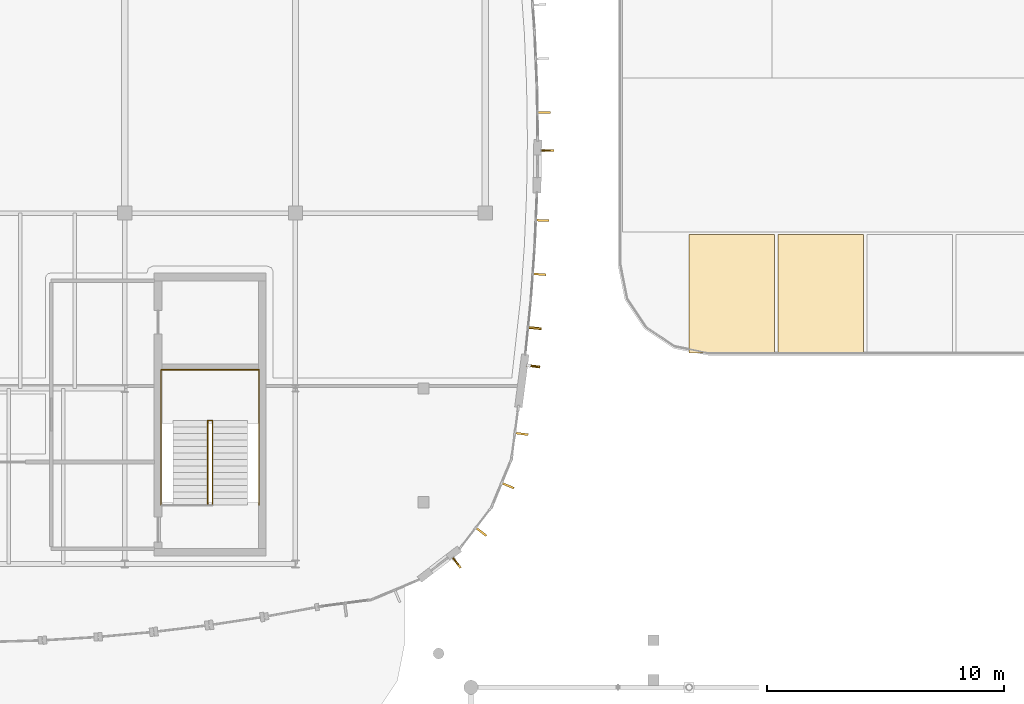
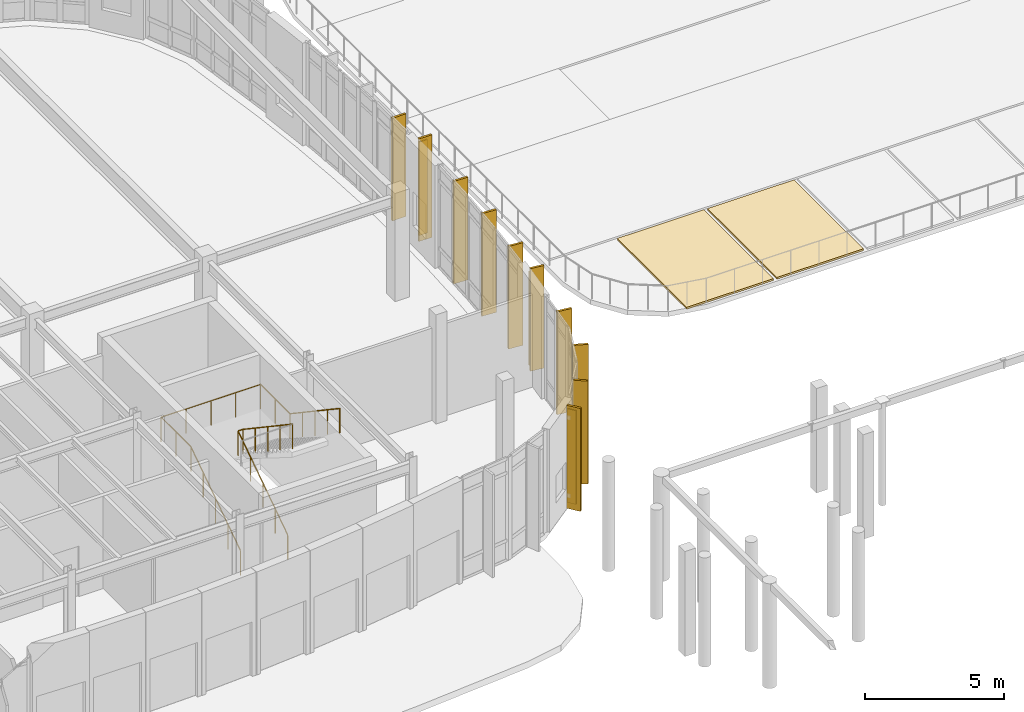
# One storey, part 110 of 120: 12 coverings, 3 shading devices, 2 railings.
"""IFC4 building model written with IfcOpenShell, lengths in metres."""

from ifc_helpers import new_model, si_unit, direction, frame, origin, origin_2d, place, context, subcontext, project, spatial, polyline, rectangle, circle, outline, extrude, material, layer, layer_set, type_object, element, save


model = new_model("IFC4")

# Units and contexts
model_context = context("Model", 3, precision=1e-05, world=origin(), true_north=direction((0.0, 1.0)))
body_context = subcontext(model_context, "Body", "Model", "MODEL_VIEW")
ifc_project = project(units=[si_unit("LENGTHUNIT", "METRE"), si_unit("AREAUNIT", "SQUARE_METRE"), si_unit("VOLUMEUNIT", "CUBIC_METRE"), si_unit("PLANEANGLEUNIT", "RADIAN"), si_unit("MASSUNIT", "GRAM", prefix="KILO")], contexts=[model_context])

# Site, building, storey
site_placement = place(None, origin())
site = spatial("IfcSite", under=ifc_project, at=site_placement, CompositionType="ELEMENT")
building_placement = place(site_placement, origin())
building = spatial("IfcBuilding", under=site, at=building_placement, Name="Corveleigh Park Community Centre", CompositionType="ELEMENT")
storey_placement = place(building_placement, origin())
storey = spatial("IfcBuildingStorey", under=building, at=storey_placement, Name="L00", CompositionType="ELEMENT", Elevation=0.0)

# Coverings
ifc_material_1 = material(Name="Warm buff ribbed architectural cladding", Category="masonry")
ifc_layer_1 = layer(ifc_material_1, 0.0849609375, Name="Warm buff ribbed architectural cladding", Category="masonry")
ifc_layer_set_1 = layer_set([ifc_layer_1], Name="Warm buff ribbed architectural cladding")
covering_type_1 = type_object("IfcCoveringType", Name="COV-CLD-BUF", PredefinedType="CLADDING", material=ifc_layer_set_1)
covering_1_placement = place(storey_placement, origin())
element("IfcCovering", 1, at=covering_1_placement, inside=storey, type_object=covering_type_1, Name="V2 L00 Brise-soleil blade 5", PredefinedType="CLADDING", context=body_context, shape_type="SweptSolid", body=[
    extrude(outline(polyline([(53.073974609375, 78.285888671875), (53.006103515625, 78.23388671875), (53.33203125, 77.81005859375), (53.39990234375, 77.861083984375), (53.073974609375, 78.285888671875)])), origin(), (0.0, 0.0, 1.0), 4.527099609375),
])
covering_2_placement = place(storey_placement, origin())
element("IfcCovering", 2, at=covering_2_placement, inside=storey, type_object=covering_type_1, Name="V2 L00 Brise-soleil blade 6", PredefinedType="CLADDING", context=body_context, shape_type="SweptSolid", body=[
    extrude(outline(polyline([(54.01806640625, 79.575927734375), (53.966064453125, 79.508056640625), (54.426025390625, 79.155029296875), (54.47802734375, 79.222900390625), (54.01806640625, 79.575927734375)])), origin(), (0.0, 0.0, 1.0), 4.527099609375),
])
covering_3_placement = place(storey_placement, origin())
element("IfcCovering", 3, at=covering_3_placement, inside=storey, type_object=covering_type_1, Name="V2 L00 Brise-soleil blade 7", PredefinedType="CLADDING", context=body_context, shape_type="SweptSolid", body=[
    extrude(outline(polyline([(55.092041015625, 81.4599609375), (55.06005859375, 81.381103515625), (55.595947265625, 81.158935546875), (55.6279296875, 81.238037109375), (55.092041015625, 81.4599609375)])), origin(), (0.0, 0.0, 1.0), 4.527099609375),
])
covering_4_placement = place(storey_placement, origin())
element("IfcCovering", 4, at=covering_4_placement, inside=storey, type_object=covering_type_1, Name="V2 L00 Brise-soleil blade 8", PredefinedType="CLADDING", context=body_context, shape_type="SweptSolid", body=[
    extrude(outline(polyline([(55.64404296875, 83.571044921875), (55.633056640625, 83.486083984375), (56.2080078125, 83.410888671875), (56.218994140625, 83.4951171875), (55.64404296875, 83.571044921875)])), origin(), (0.0, 0.0, 1.0), 4.527099609375),
])
covering_5_placement = place(storey_placement, origin())
element("IfcCovering", 5, at=covering_5_placement, inside=storey, type_object=covering_type_1, Name="V2 L00 Brise-soleil blade 9", PredefinedType="CLADDING", context=body_context, shape_type="SweptSolid", body=[
    extrude(outline(polyline([(56.18505859375, 86.4169921875), (56.174072265625, 86.3330078125), (56.7041015625, 86.262939453125), (56.715087890625, 86.347900390625), (56.18505859375, 86.4169921875)])), origin(), (0.0, 0.0, 1.0), 4.511962890625),
])
covering_6_placement = place(storey_placement, origin())
element("IfcCovering", 6, at=covering_6_placement, inside=storey, type_object=covering_type_1, Name="V2 L00 Brise-soleil blade 10", PredefinedType="CLADDING", context=body_context, shape_type="SweptSolid", body=[
    extrude(outline(polyline([(56.194091796875, 88.02099609375), (56.18603515625, 87.93701171875), (56.762939453125, 87.8779296875), (56.77099609375, 87.962890625), (56.194091796875, 88.02099609375)])), origin(), (0.0, 0.0, 1.0), 4.511962890625),
])
covering_7_placement = place(storey_placement, origin())
element("IfcCovering", 7, at=covering_7_placement, inside=storey, type_object=covering_type_1, Name="V2 L00 Brise-soleil blade 11", PredefinedType="CLADDING", context=body_context, shape_type="SweptSolid", body=[
    extrude(outline(polyline([(56.389892578125, 90.280029296875), (56.384033203125, 90.195068359375), (56.9619140625, 90.153076171875), (56.968994140625, 90.238037109375), (56.389892578125, 90.280029296875)])), origin(), (0.0, 0.0, 1.0), 4.511962890625),
])
covering_8_placement = place(storey_placement, origin())
element("IfcCovering", 8, at=covering_8_placement, inside=storey, type_object=covering_type_1, Name="V2 L00 Brise-soleil blade 12", PredefinedType="CLADDING", context=body_context, shape_type="SweptSolid", body=[
    extrude(outline(polyline([(56.52001953125, 92.54296875), (56.51611328125, 92.4580078125), (57.095947265625, 92.43310546875), (57.09912109375, 92.51806640625), (56.52001953125, 92.54296875)])), origin(), (0.0, 0.0, 1.0), 4.511962890625),
])
covering_9_placement = place(storey_placement, origin())
element("IfcCovering", 9, at=covering_9_placement, inside=storey, type_object=covering_type_1, Name="V2 L00 Brise-soleil blade 13", PredefinedType="CLADDING", context=body_context, shape_type="SweptSolid", body=[
    extrude(outline(polyline([(56.76904296875, 95.48095703125), (56.76806640625, 95.39599609375), (57.302978515625, 95.387939453125), (57.303955078125, 95.472900390625), (56.76904296875, 95.48095703125)])), origin(), (0.0, 0.0, 1.0), 4.511962890625),
])
covering_10_placement = place(storey_placement, origin())
element("IfcCovering", 10, at=covering_10_placement, inside=storey, type_object=covering_type_1, Name="V2 L00 Brise-soleil blade 14", PredefinedType="CLADDING", context=body_context, shape_type="SweptSolid", body=[
    extrude(outline(polyline([(56.5830078125, 97.075927734375), (56.583984375, 96.990966796875), (57.1640625, 97.0), (57.1630859375, 97.0849609375), (56.5830078125, 97.075927734375)])), origin(), (0.0, 0.0, 1.0), 4.511962890625),
])
ifc_material_2 = material(Name="Permeable granite-aggregate block paving", Category="masonry")
ifc_layer_2 = layer(ifc_material_2, 0.080078125, Name="Permeable granite-aggregate block paving", Category="masonry")
ifc_layer_set_2 = layer_set([ifc_layer_2], Name="Permeable granite-aggregate block paving")
covering_type_2 = type_object("IfcCoveringType", Name="COV-FLR-PAV", PredefinedType="FLOORING", material=ifc_layer_set_2)
covering_11_placement = place(storey_placement, origin())
element("IfcCovering", 11, at=covering_11_placement, inside=storey, type_object=covering_type_2, Name="Parking bay PB-A1", PredefinedType="FLOORING", context=body_context, shape_type="SweptSolid", body=[
    extrude(outline(polyline([(63.0, 86.89990234375), (66.60009765625, 86.89990234375), (66.60009765625, 91.89990234375), (63.0, 91.89990234375), (63.0, 86.89990234375)])), origin(), (0.0, 0.0, 1.0), 0.080078125),
])
covering_12_placement = place(storey_placement, origin())
element("IfcCovering", 12, at=covering_12_placement, inside=storey, type_object=covering_type_2, Name="Parking bay PB-A2", PredefinedType="FLOORING", context=body_context, shape_type="SweptSolid", body=[
    extrude(outline(polyline([(66.75, 86.89990234375), (70.35009765625, 86.89990234375), (70.35009765625, 91.89990234375), (66.75, 91.89990234375), (66.75, 86.89990234375)])), origin(), (0.0, 0.0, 1.0), 0.080078125),
])

# Railings
ifc_material_3 = material(Name="Stainless steel 316 balustrade", Category="steel")
railing_type = type_object("IfcRailingType", Name="RLG-BAL-INT-1100", PredefinedType="BALUSTRADE", material=ifc_material_3)
railing_1_placement = place(storey_placement, frame((42.699951171875, 80.47998046875, 0.0)))
element("IfcRailing", 13, at=railing_1_placement, inside=storey, type_object=railing_type, Name="Stair ST3 inner guard L00", PredefinedType="BALUSTRADE", context=body_context, shape_type="SweptSolid", body=[
    extrude(circle(Radius=0.02392578125, at=origin_2d()), frame((0.0, 0.0, 1.076171875), z_axis=(0.0, 0.830266487006, 0.557366630285), x_axis=(-1.0, 0.0, 0.0)), (0.0, 0.0, 1.0), 4.305908203125),
    extrude(circle(Radius=0.02392578125, at=origin_2d()), frame((0.0, 3.574951171875, 3.47607421875), z_axis=(1.0, 0.0, 0.0), x_axis=(0.0, 1.0, 0.0)), (0.0, 0.0, 1.0), 0.199951171875),
    extrude(circle(Radius=0.02392578125, at=origin_2d()), frame((0.199951171875, 3.574951171875, 3.47607421875), z_axis=(0.0, -0.830240247997, 0.557405714543), x_axis=(1.0, 0.0, 0.0)), (0.0, 0.0, 1.0), 4.305908203125),
    extrude(circle(Radius=0.02099609375, at=origin_2d()), origin(), (0.0, 0.0, 1.0), 1.052001953125),
    extrude(circle(Radius=0.02099609375, at=origin_2d()), frame((0.0, 0.893798828125, 0.60009765625)), (0.0, 0.0, 1.0), 1.052001953125),
    extrude(circle(Radius=0.02099609375, at=origin_2d()), frame((0.0, 1.78759765625, 1.199951171875)), (0.0, 0.0, 1.0), 1.052001953125),
    extrude(circle(Radius=0.02099609375, at=origin_2d()), frame((0.0, 2.68115234375, 1.7998046875)), (0.0, 0.0, 1.0), 1.052001953125),
    extrude(circle(Radius=0.02099609375, at=origin_2d()), frame((0.0, 3.574951171875, 2.39990234375)), (0.0, 0.0, 1.0), 1.052001953125),
    extrude(circle(Radius=0.02099609375, at=origin_2d()), frame((0.199951171875, 3.574951171875, 2.39990234375)), (0.0, 0.0, 1.0), 1.052001953125),
    extrude(circle(Radius=0.02099609375, at=origin_2d()), frame((0.199951171875, 2.68115234375, 3.0)), (0.0, 0.0, 1.0), 1.052001953125),
    extrude(circle(Radius=0.02099609375, at=origin_2d()), frame((0.199951171875, 1.78759765625, 3.60009765625)), (0.0, 0.0, 1.0), 1.052001953125),
    extrude(circle(Radius=0.02099609375, at=origin_2d()), frame((0.199951171875, 0.893798828125, 4.199951171875)), (0.0, 0.0, 1.0), 1.052001953125),
    extrude(circle(Radius=0.02099609375, at=origin_2d()), frame((0.199951171875, 0.0, 4.800048828125)), (0.0, 0.0, 1.0), 1.052001953125),
])
railing_2_placement = place(storey_placement, frame((40.735107421875, 80.47998046875, 0.0)))
element("IfcRailing", 14, at=railing_2_placement, inside=storey, type_object=railing_type, Name="Stair ST3 perimeter guard L00", PredefinedType="BALUSTRADE", context=body_context, shape_type="SweptSolid", body=[
    extrude(circle(Radius=0.02392578125, at=origin_2d()), frame((0.0, 0.0, 1.076171875), z_axis=(0.0, 0.830266487006, 0.557366630285), x_axis=(-1.0, 0.0, 0.0)), (0.0, 0.0, 1.0), 4.305908203125),
    extrude(circle(Radius=0.02392578125, at=origin_2d()), frame((0.0, 3.574951171875, 3.47607421875), z_axis=(0.0, 1.0, 0.0), x_axis=(-1.0, 0.0, 0.0)), (0.0, 0.0, 1.0), 2.13818359375),
    extrude(circle(Radius=0.02392578125, at=origin_2d()), frame((0.0, 5.713134765625, 3.47607421875), z_axis=(1.0, 0.0, 0.0), x_axis=(0.0, 1.0, 0.0)), (0.0, 0.0, 1.0), 4.130859375),
    extrude(circle(Radius=0.02392578125, at=origin_2d()), frame((4.130859375, 5.713134765625, 3.47607421875), z_axis=(0.0, -1.0, 0.0), x_axis=(1.0, 0.0, 0.0)), (0.0, 0.0, 1.0), 2.13818359375),
    extrude(circle(Radius=0.02392578125, at=origin_2d()), frame((4.130859375, 3.574951171875, 3.47607421875), z_axis=(0.0, -0.830240247997, 0.557405714543), x_axis=(1.0, 0.0, 0.0)), (0.0, 0.0, 1.0), 4.305908203125),
    extrude(circle(Radius=0.02099609375, at=origin_2d()), origin(), (0.0, 0.0, 1.0), 1.052001953125),
    extrude(circle(Radius=0.02099609375, at=origin_2d()), frame((0.0, 0.893798828125, 0.60009765625)), (0.0, 0.0, 1.0), 1.052001953125),
    extrude(circle(Radius=0.02099609375, at=origin_2d()), frame((0.0, 1.78759765625, 1.199951171875)), (0.0, 0.0, 1.0), 1.052001953125),
    extrude(circle(Radius=0.02099609375, at=origin_2d()), frame((0.0, 2.68115234375, 1.7998046875)), (0.0, 0.0, 1.0), 1.052001953125),
    extrude(circle(Radius=0.02099609375, at=origin_2d()), frame((0.0, 3.574951171875, 2.39990234375)), (0.0, 0.0, 1.0), 1.052001953125),
    extrude(circle(Radius=0.02099609375, at=origin_2d()), frame((0.0, 4.64404296875, 2.39990234375)), (0.0, 0.0, 1.0), 1.052001953125),
    extrude(circle(Radius=0.02099609375, at=origin_2d()), frame((0.0, 5.713134765625, 2.39990234375)), (0.0, 0.0, 1.0), 1.052001953125),
    extrude(circle(Radius=0.02099609375, at=origin_2d()), frame((1.03271484375, 5.713134765625, 2.39990234375)), (0.0, 0.0, 1.0), 1.052001953125),
    extrude(circle(Radius=0.02099609375, at=origin_2d()), frame((2.0654296875, 5.713134765625, 2.39990234375)), (0.0, 0.0, 1.0), 1.052001953125),
    extrude(circle(Radius=0.02099609375, at=origin_2d()), frame((3.09814453125, 5.713134765625, 2.39990234375)), (0.0, 0.0, 1.0), 1.052001953125),
    extrude(circle(Radius=0.02099609375, at=origin_2d()), frame((4.130859375, 5.713134765625, 2.39990234375)), (0.0, 0.0, 1.0), 1.052001953125),
    extrude(circle(Radius=0.02099609375, at=origin_2d()), frame((4.130859375, 4.64404296875, 2.39990234375)), (0.0, 0.0, 1.0), 1.052001953125),
    extrude(circle(Radius=0.02099609375, at=origin_2d()), frame((4.130859375, 3.574951171875, 2.39990234375)), (0.0, 0.0, 1.0), 1.052001953125),
    extrude(circle(Radius=0.02099609375, at=origin_2d()), frame((4.130859375, 2.68115234375, 3.0)), (0.0, 0.0, 1.0), 1.052001953125),
    extrude(circle(Radius=0.02099609375, at=origin_2d()), frame((4.130859375, 1.78759765625, 3.60009765625)), (0.0, 0.0, 1.0), 1.052001953125),
    extrude(circle(Radius=0.02099609375, at=origin_2d()), frame((4.130859375, 0.893798828125, 4.199951171875)), (0.0, 0.0, 1.0), 1.052001953125),
    extrude(circle(Radius=0.02099609375, at=origin_2d()), frame((4.130859375, 0.0, 4.800048828125)), (0.0, 0.0, 1.0), 1.052001953125),
])

# Shading devices
ifc_material_4 = material(Name="Terracotta-anodised aluminium fin", Category="masonry")
shading_device_type_1 = type_object("IfcShadingDeviceType", Name="SHD-FIN-TER-350", PredefinedType="USERDEFINED", material=ifc_material_4)
shading_device_1_placement = place(storey_placement, frame((53.156005859375, 78.10888671875, 0.25), z_axis=(0.0, 0.0, 1.0), x_axis=(0.608825655317, -0.793304053581, 0.0)))
element("IfcShadingDevice", 15, at=shading_device_1_placement, inside=storey, type_object=shading_device_type_1, Name="Terracotta brise-soleil fin 1", ObjectType="FIN", PredefinedType="USERDEFINED", context=body_context, shape_type="SweptSolid", body=[
    extrude(rectangle(XDim=0.35009765625, YDim=0.06005859375, at=origin_2d()), origin(), (0.0, 0.0, 1.0), 4.126953125),
])
shading_device_2_placement = place(storey_placement, frame((56.9580078125, 95.43603515625, 0.25), z_axis=(0.0, 0.0, 1.0), x_axis=(0.999892461794, -0.014665089441, 0.0)))
element("IfcShadingDevice", 16, at=shading_device_2_placement, inside=storey, type_object=shading_device_type_1, Name="Terracotta brise-soleil fin 3", ObjectType="FIN", PredefinedType="USERDEFINED", context=body_context, shape_type="SweptSolid", body=[
    extrude(rectangle(XDim=0.35009765625, YDim=0.06005859375, at=origin_2d()), origin(), (0.0, 0.0, 1.0), 4.112060546875),
])
shading_device_type_2 = type_object("IfcShadingDeviceType", Name="SHD-FIN-TER-450", PredefinedType="USERDEFINED", material=ifc_material_4)
shading_device_3_placement = place(storey_placement, frame((56.367919921875, 86.35009765625, 0.25), z_axis=(0.0, 0.0, 1.0), x_axis=(0.991508592502, -0.13004118961, 0.0)))
element("IfcShadingDevice", 17, at=shading_device_3_placement, inside=storey, type_object=shading_device_type_2, Name="Terracotta brise-soleil fin 2", ObjectType="FIN", PredefinedType="USERDEFINED", context=body_context, shape_type="SweptSolid", body=[
    extrude(rectangle(XDim=0.449951171875, YDim=0.06494140625, at=origin_2d()), origin(), (0.0, 0.0, 1.0), 4.112060546875),
])

save(model, "model.ifc")
